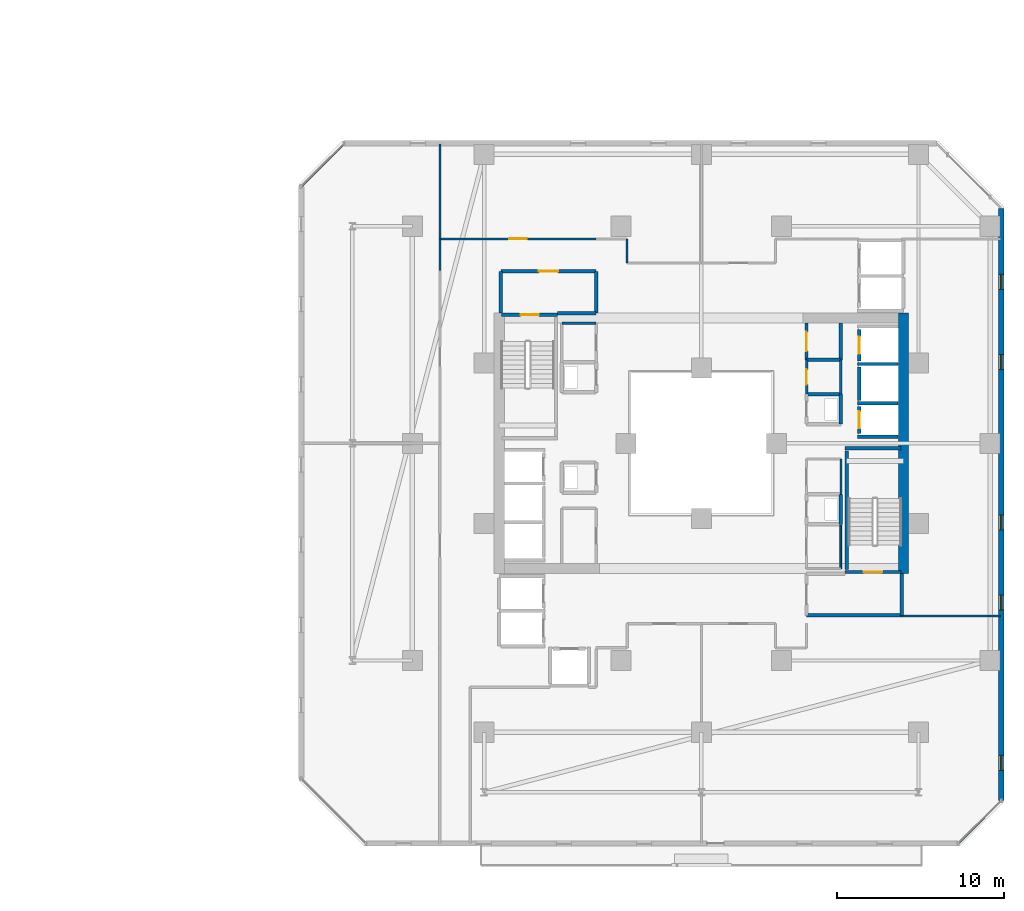
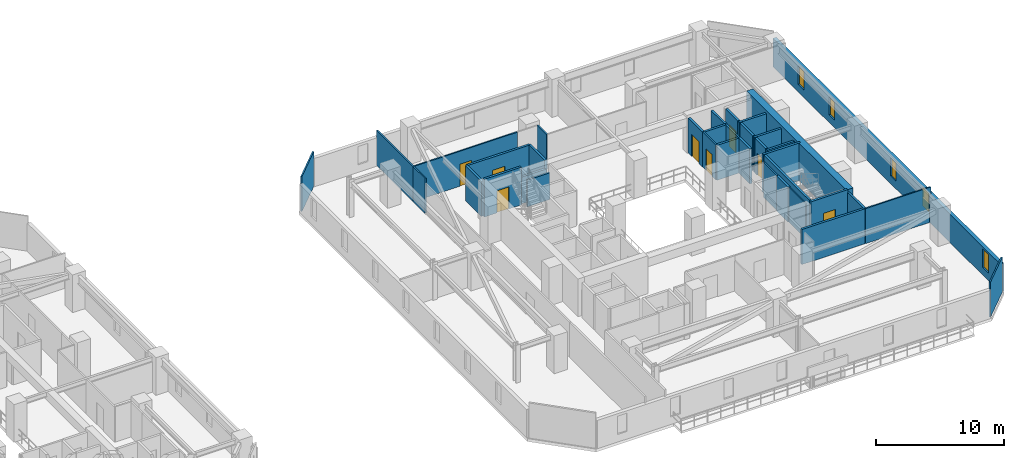
# One storey, part 25 of 33: 36 walls, 8 doors, 5 windows, 13 openings.
"""IFC4 building model written with IfcOpenShell, lengths in metres."""

from ifc_helpers import new_model, si_unit, direction, frame, frame_2d, origin, place, context, subcontext, project, spatial, rectangle, extrude, material, layer, layer_set, type_object, element, fill, save


model = new_model("IFC4")

# Units and contexts
model_context = context("Model", 3, precision=1e-05, world=origin(), true_north=direction((0.0, 1.0)))
body_context = subcontext(model_context, "Body", "Model", "MODEL_VIEW")
ifc_project = project(units=[si_unit("LENGTHUNIT", "METRE"), si_unit("AREAUNIT", "SQUARE_METRE"), si_unit("VOLUMEUNIT", "CUBIC_METRE"), si_unit("PLANEANGLEUNIT", "RADIAN"), si_unit("MASSUNIT", "GRAM", prefix="KILO")], contexts=[model_context])

# Site, building, storey
site_placement = place(None, origin())
site = spatial("IfcSite", under=ifc_project, at=site_placement, CompositionType="ELEMENT")
building_placement = place(site_placement, origin())
building = spatial("IfcBuilding", under=site, at=building_placement, Name="Thornwick Lancets Civic Towers", CompositionType="ELEMENT")
storey_placement = place(building_placement, frame((0.0, 0.0, 101.699951171875)))
storey = spatial("IfcBuildingStorey", under=building, at=storey_placement, Name="L26", CompositionType="ELEMENT", Elevation=101.699951171875)

# Wall, opening, door
ifc_material_1 = material(Name="Concrete blockwork C40/50", Category="masonry")
ifc_layer_1 = layer(ifc_material_1, 0.199951171875, Name="Concrete blockwork C40/50")
ifc_layer_set_1 = layer_set([ifc_layer_1], Name="Concrete blockwork C40/50")
wall_type_1 = type_object("IfcWallType", Name="WALL_COMP_200", PredefinedType="STANDARD", material=ifc_layer_set_1)
wall_1_placement = place(storey_placement, frame((97.949951171875, 29.219970703125, 0.0), z_axis=(0.0, 0.0, 1.0), x_axis=(0.0, -1.0, 0.0)))
wall_1 = element("IfcWall", 1, at=wall_1_placement, inside=storey, type_object=wall_type_1, Name="L26 Hoistway Front Wall FL-B1", PredefinedType="STANDARD", context=body_context, shape_type="SweptSolid", body=[
    extrude(rectangle(XDim=1.639892578125, YDim=0.199951171875, at=frame_2d((0.81982421875, 0.0))), origin(), (0.0, 0.0, 1.0), 3.340087890625),
])
opening_1_placement = place(wall_1_placement, frame((0.31005859375, 0.0, 0.0)))
opening_1 = element("IfcOpeningElement", 2, at=opening_1_placement, cuts=wall_1, Name="Opening LD-FL-B1", PredefinedType="OPENING", context=body_context, shape_type="SweptSolid", body=[
    extrude(rectangle(XDim=1.02001953125, YDim=2.06005859375, at=frame_2d((0.510009765625, 1.030029296875))), frame((0.0, 0.10986328125, 0.0), z_axis=(0.0, -1.0, 0.0), x_axis=(1.0, 0.0, 0.0)), (0.0, 0.0, 1.0), 0.219970703125),
])
ifc_material_2 = material(Name="Brushed bronze stainless steel", Category="steel")
door_type_1 = type_object("IfcDoorType", Name="DOOR_LIFT_SLIDE", OperationType="SLIDING_TO_LEFT", PredefinedType="DOOR", material=ifc_material_2)
door_1_placement = place(opening_1_placement, origin())
door_1 = element("IfcDoor", 3, at=door_1_placement, inside=storey, type_object=door_type_1, Name="L26 Sliding Lift Landing Door LD-FL-B1", OperationType="SLIDING_TO_LEFT", OverallHeight=2.06005859375, OverallWidth=1.02001953125, PredefinedType="DOOR", context=body_context, shape_type="SweptSolid", body=[
    extrude(rectangle(XDim=1.02001953125, YDim=2.06005859375, at=frame_2d((0.510009765625, 1.030029296875))), frame((0.0, 0.02490234375, 0.0), z_axis=(0.0, -1.0, 0.0), x_axis=(1.0, 0.0, 0.0)), (0.0, 0.0, 1.0), 0.050048828125),
])
fill(opening_1, door_1)

# Wall
wall_2_placement = place(storey_placement, frame((97.949951171875, 31.570068359375, 0.0), z_axis=(0.0, 0.0, 1.0), x_axis=(0.0, -1.0, 0.0)))
element("IfcWall", 4, at=wall_2_placement, inside=storey, type_object=wall_type_1, Name="L26 Hoistway Front Wall PL-BH1", PredefinedType="STANDARD", context=body_context, shape_type="SweptSolid", body=[
    extrude(rectangle(XDim=1.989990234375, YDim=0.199951171875, at=frame_2d((0.9951171875, 0.0))), origin(), (0.0, 0.0, 1.0), 3.340087890625),
])

# Wall, opening, door
wall_3_placement = place(storey_placement, frame((97.949951171875, 33.820068359375, 0.0), z_axis=(0.0, 0.0, 1.0), x_axis=(0.0, -1.0, 0.0)))
wall_3 = element("IfcWall", 5, at=wall_3_placement, inside=storey, type_object=wall_type_1, Name="L26 Hoistway Front Wall PL-BL1", PredefinedType="STANDARD", context=body_context, shape_type="SweptSolid", body=[
    extrude(rectangle(XDim=1.89013671875, YDim=0.199951171875, at=frame_2d((0.945068359375, 0.0))), origin(), (0.0, 0.0, 1.0), 3.340087890625),
])
opening_2_placement = place(wall_3_placement, frame((0.43505859375, 0.0, 0.0)))
opening_2 = element("IfcOpeningElement", 6, at=opening_2_placement, cuts=wall_3, Name="Opening LD-PL-BL1", PredefinedType="OPENING", context=body_context, shape_type="SweptSolid", body=[
    extrude(rectangle(XDim=1.02001953125, YDim=2.06005859375, at=frame_2d((0.510009765625, 1.030029296875))), frame((0.0, 0.10986328125, 0.0), z_axis=(0.0, -1.0, 0.0), x_axis=(1.0, 0.0, 0.0)), (0.0, 0.0, 1.0), 0.219970703125),
])
door_2_placement = place(opening_2_placement, origin())
door_2 = element("IfcDoor", 7, at=door_2_placement, inside=storey, type_object=door_type_1, Name="L26 Sliding Lift Landing Door LD-PL-BL1", OperationType="SLIDING_TO_LEFT", OverallHeight=2.06005859375, OverallWidth=1.02001953125, PredefinedType="DOOR", context=body_context, shape_type="SweptSolid", body=[
    extrude(rectangle(XDim=1.02001953125, YDim=2.06005859375, at=frame_2d((0.510009765625, 1.030029296875))), frame((0.0, 0.02490234375, 0.0), z_axis=(0.0, -1.0, 0.0), x_axis=(1.0, 0.0, 0.0)), (0.0, 0.0, 1.0), 0.050048828125),
])
fill(opening_2, door_2)

# Walls
for number, where, z_axis, x_axis, name in (
    (8, (97.85205078125, 29.39990234375, 0.0), (0.0, 0.0, 1.0), (1.0, 0.0, 0.0), "L26 Hoistway Shaft Wall FL-B1 N"),
    (9, (97.85205078125, 27.39990234375, 0.0), (0.0, 0.0, 1.0), (1.0, 0.0, 0.0), "L26 Hoistway Shaft Wall FL-B1 S"),
    (10, (97.85205078125, 31.75, 0.0), (0.0, 0.0, 1.0), (1.0, 0.0, 0.0), "L26 Hoistway Shaft Wall PL-BH1 N"),
):
    element("IfcWall", number, at=place(storey_placement, frame(where, z_axis=z_axis, x_axis=x_axis)), inside=storey, type_object=wall_type_1, Name=name, PredefinedType="STANDARD", context=body_context, shape_type="SweptSolid", body=[
        extrude(rectangle(XDim=2.43603515625, YDim=0.199951171875, at=frame_2d((1.218017578125, 0.0))), origin(), (0.0, 0.0, 1.0), 3.340087890625),
    ])
wall_4_placement = place(storey_placement, frame((94.800048828125, 16.699951171875, 0.0), z_axis=(0.0, 0.0, 1.0), x_axis=(1.0, 0.0, 0.0)))
element("IfcWall", 11, at=wall_4_placement, inside=storey, type_object=wall_type_1, Name="L26 Partition L26-B-FFLOB1 E1", PredefinedType="STANDARD", context=body_context, shape_type="SweptSolid", body=[
    extrude(rectangle(XDim=5.699951171875, YDim=0.199951171875, at=frame_2d((2.85009765625, 0.0))), origin(), (0.0, 0.0, 1.0), 3.340087890625),
])
wall_5_placement = place(storey_placement, frame((100.5, 16.699951171875, 0.0), z_axis=(0.0, 0.0, 1.0), x_axis=(0.0, 1.0, 0.0)))
element("IfcWall", 12, at=wall_5_placement, inside=storey, type_object=wall_type_1, Name="L26 Partition L26-B-FFLOB1 E2", PredefinedType="STANDARD", context=body_context, shape_type="SweptSolid", body=[
    extrude(rectangle(XDim=2.5, YDim=0.199951171875, at=frame_2d((1.25, 0.0))), origin(), (0.0, 0.0, 1.0), 3.340087890625),
])
wall_6_placement = place(storey_placement, frame((79.89990234375, 34.800048828125, 0.0), z_axis=(0.0, 0.0, 1.0), x_axis=(1.0, 0.0, 0.0)))
element("IfcWall", 13, at=wall_6_placement, inside=storey, type_object=wall_type_1, Name="L26 Partition L26-B-FFLOB2 E1", PredefinedType="STANDARD", context=body_context, shape_type="SweptSolid", body=[
    extrude(rectangle(XDim=2.300048828125, YDim=0.199951171875, at=frame_2d((1.14990234375, 0.0))), origin(), (0.0, 0.0, 1.0), 2.545166015625),
])
wall_7_placement = place(storey_placement, frame((82.199951171875, 34.800048828125, 0.0), z_axis=(0.0, 0.0, 1.0), x_axis=(0.0, 1.0, 0.0)))
element("IfcWall", 14, at=wall_7_placement, inside=storey, type_object=wall_type_1, Name="L26 Partition L26-B-FFLOB2 E2", PredefinedType="STANDARD", context=body_context, shape_type="SweptSolid", body=[
    extrude(rectangle(XDim=2.5, YDim=0.199951171875, at=frame_2d((1.25, 0.0))), origin(), (0.0, 0.0, 1.0), 3.340087890625),
])

# Wall, opening, door
wall_8_placement = place(storey_placement, frame((82.199951171875, 37.300048828125, 0.0), z_axis=(0.0, 0.0, 1.0), x_axis=(-1.0, 0.0, 0.0)))
wall_8 = element("IfcWall", 15, at=wall_8_placement, inside=storey, type_object=wall_type_1, Name="L26 Partition L26-B-FFLOB2 E3", PredefinedType="STANDARD", context=body_context, shape_type="SweptSolid", body=[
    extrude(rectangle(XDim=5.699951171875, YDim=0.199951171875, at=frame_2d((2.85009765625, 0.0))), origin(), (0.0, 0.0, 1.0), 3.340087890625),
])
opening_3_placement = place(wall_8_placement, frame((2.27490234375, 0.0, 0.0)))
opening_3 = element("IfcOpeningElement", 16, at=opening_3_placement, cuts=wall_8, Name="Opening D-L26-1206", PredefinedType="OPENING", context=body_context, shape_type="SweptSolid", body=[
    extrude(rectangle(XDim=1.14990234375, YDim=2.10009765625, at=frame_2d((0.574951171875, 1.050048828125))), frame((0.0, 0.10986328125, 0.0), z_axis=(0.0, -1.0, 0.0), x_axis=(1.0, 0.0, 0.0)), (0.0, 0.0, 1.0), 0.219970703125),
])
ifc_material_3 = material(Name="Glazed fire-resisting steel", Category="steel")
door_type_2 = type_object("IfcDoorType", Name="DOOR_LOBBY_FD60", OperationType="NOTDEFINED", PredefinedType="DOOR", material=ifc_material_3)
door_3_placement = place(opening_3_placement, origin())
door_3 = element("IfcDoor", 17, at=door_3_placement, inside=storey, type_object=door_type_2, Name="L26 West Firefighting Lobby 2 Door", OperationType="SINGLE_SWING_LEFT", OverallHeight=2.10009765625, OverallWidth=1.14990234375, PredefinedType="DOOR", context=body_context, shape_type="SweptSolid", body=[
    extrude(rectangle(XDim=1.14990234375, YDim=2.10009765625, at=frame_2d((0.574951171875, 1.050048828125))), frame((0.0, 0.02490234375, 0.0), z_axis=(0.0, -1.0, 0.0), x_axis=(1.0, 0.0, 0.0)), (0.0, 0.0, 1.0), 0.050048828125),
])
fill(opening_3, door_3)

# Walls
wall_9_placement = place(storey_placement, frame((76.5, 37.300048828125, 0.0), z_axis=(0.0, 0.0, 1.0), x_axis=(0.0, -1.0, 0.0)))
element("IfcWall", 18, at=wall_9_placement, inside=storey, type_object=wall_type_1, Name="L26 Partition L26-B-FFLOB2 E4", PredefinedType="STANDARD", context=body_context, shape_type="SweptSolid", body=[
    extrude(rectangle(XDim=2.5, YDim=0.199951171875, at=frame_2d((1.25, 0.0))), origin(), (0.0, 0.0, 1.0), 3.340087890625),
])
wall_10_placement = place(storey_placement, frame((96.85009765625, 28.14990234375, 0.0), z_axis=(0.0, 0.0, 1.0), x_axis=(0.0, 1.0, 0.0)))
element("IfcWall", 19, at=wall_10_placement, inside=storey, type_object=wall_type_1, Name="L26 Partition L26-B-DUCT1 E2", PredefinedType="STANDARD", context=body_context, shape_type="SweptSolid", body=[
    extrude(rectangle(XDim=1.800048828125, YDim=0.199951171875, at=frame_2d((0.89990234375, 0.0))), origin(), (0.0, 0.0, 1.0), 3.340087890625),
])
wall_11_placement = place(storey_placement, frame((96.85009765625, 29.949951171875, 0.0), z_axis=(0.0, 0.0, 1.0), x_axis=(-1.0, 0.0, 0.0)))
element("IfcWall", 20, at=wall_11_placement, inside=storey, type_object=wall_type_1, Name="L26 Partition L26-B-DUCT1 E3", PredefinedType="STANDARD", context=body_context, shape_type="SweptSolid", body=[
    extrude(rectangle(XDim=2.050048828125, YDim=0.199951171875, at=frame_2d((1.02490234375, 0.0))), origin(), (0.0, 0.0, 1.0), 3.340087890625),
])
wall_12_placement = place(storey_placement, frame((96.85009765625, 22.14990234375, 0.0), z_axis=(0.0, 0.0, 1.0), x_axis=(0.0, 1.0, 0.0)))
element("IfcWall", 21, at=wall_12_placement, inside=storey, type_object=wall_type_1, Name="L26 Partition L26-B-RISER1 E2", PredefinedType="STANDARD", context=body_context, shape_type="SweptSolid", body=[
    extrude(rectangle(XDim=1.800048828125, YDim=0.199951171875, at=frame_2d((0.89990234375, 0.0))), origin(), (0.0, 0.0, 1.0), 3.340087890625),
])

# Wall, opening, door
wall_13_placement = place(storey_placement, frame((94.800048828125, 32.0, 0.0), z_axis=(0.0, 0.0, 1.0), x_axis=(0.0, 1.0, 0.0)))
wall_13 = element("IfcWall", 22, at=wall_13_placement, inside=storey, type_object=wall_type_1, Name="L26 Partition L26-B-STR2 E1", PredefinedType="STANDARD", context=body_context, shape_type="SweptSolid", body=[
    extrude(rectangle(XDim=2.199951171875, YDim=0.199951171875, at=frame_2d((1.10009765625, 0.0))), origin(), (0.0, 0.0, 1.0), 3.340087890625),
])
opening_4_placement = place(wall_13_placement, frame((0.52490234375, 0.0, 0.0)))
opening_4 = element("IfcOpeningElement", 23, at=opening_4_placement, cuts=wall_13, Name="Opening D-L26-1214", PredefinedType="OPENING", context=body_context, shape_type="SweptSolid", body=[
    extrude(rectangle(XDim=1.14990234375, YDim=2.10009765625, at=frame_2d((0.574951171875, 1.050048828125))), frame((0.0, 0.10986328125, 0.0), z_axis=(0.0, -1.0, 0.0), x_axis=(1.0, 0.0, 0.0)), (0.0, 0.0, 1.0), 0.219970703125),
])
door_4_placement = place(opening_4_placement, origin())
door_4 = element("IfcDoor", 24, at=door_4_placement, inside=storey, type_object=door_type_2, Name="L26 Tower B Core Supplies Store Door", OperationType="SINGLE_SWING_LEFT", OverallHeight=2.10009765625, OverallWidth=1.14990234375, PredefinedType="DOOR", context=body_context, shape_type="SweptSolid", body=[
    extrude(rectangle(XDim=1.14990234375, YDim=2.10009765625, at=frame_2d((0.574951171875, 1.050048828125))), frame((0.0, 0.02490234375, 0.0), z_axis=(0.0, -1.0, 0.0), x_axis=(1.0, 0.0, 0.0)), (0.0, 0.0, 1.0), 0.050048828125),
])
fill(opening_4, door_4)

# Walls
wall_14_placement = place(storey_placement, frame((96.85009765625, 34.199951171875, 0.0), z_axis=(0.0, 0.0, 1.0), x_axis=(0.0, -1.0, 0.0)))
element("IfcWall", 25, at=wall_14_placement, inside=storey, type_object=wall_type_1, Name="L26 Partition L26-B-STR2 E3", PredefinedType="STANDARD", context=body_context, shape_type="SweptSolid", body=[
    extrude(rectangle(XDim=2.199951171875, YDim=0.199951171875, at=frame_2d((1.10009765625, 0.0))), origin(), (0.0, 0.0, 1.0), 3.340087890625),
])
wall_15_placement = place(storey_placement, frame((96.85009765625, 32.0, 0.0), z_axis=(0.0, 0.0, 1.0), x_axis=(-1.0, 0.0, 0.0)))
element("IfcWall", 26, at=wall_15_placement, inside=storey, type_object=wall_type_1, Name="L26 Partition L26-B-STR2 E4", PredefinedType="STANDARD", context=body_context, shape_type="SweptSolid", body=[
    extrude(rectangle(XDim=2.050048828125, YDim=0.199951171875, at=frame_2d((1.02490234375, 0.0))), origin(), (0.0, 0.0, 1.0), 3.340087890625),
])
ifc_material_4 = material(Name="Concrete C60/75", Category="concrete")
ifc_layer_2 = layer(ifc_material_4, 0.60009765625, Name="Concrete C60/75")
ifc_layer_set_2 = layer_set([ifc_layer_2], Name="Concrete C60/75")
wall_type_2 = type_object("IfcWallType", Name="WALL_CORE_600", PredefinedType="SHEAR", material=ifc_layer_set_2)
wall_16_placement = place(storey_placement, frame((100.60009765625, 19.199951171875, 0.0), z_axis=(0.0, 0.0, 1.0), x_axis=(0.0, 1.0, 0.0)))
element("IfcWall", 27, at=wall_16_placement, inside=storey, type_object=wall_type_2, Name="L26 Split Core B1 Shear Wall E", PredefinedType="SHEAR", context=body_context, shape_type="SweptSolid", body=[
    extrude(rectangle(XDim=15.60009765625, YDim=0.60009765625, at=frame_2d((7.800048828125, 0.0))), origin(), (0.0, 0.0, 1.0), 3.60009765625),
])

# Wall, openings, windows
ifc_material_5 = material(Name="Insulated buff terracotta rainscreen on concrete C40/50", Category="masonry")
ifc_layer_3 = layer(ifc_material_5, 0.320068359375, Name="Insulated buff terracotta rainscreen on concrete C40/50")
ifc_layer_set_3 = layer_set([ifc_layer_3], Name="Insulated buff terracotta rainscreen on concrete C40/50")
wall_type_3 = type_object("IfcWallType", Name="WALL_EXT_TERRA_320", PredefinedType="STANDARD", material=ifc_layer_set_3)
wall_17_placement = place(storey_placement, frame((106.464599609375, 5.61865234375, 0.0), z_axis=(0.0, 0.0, 1.0), x_axis=(-0.00011704845, 0.99999999315, 0.0)))
wall_17 = element("IfcWall", 28, at=wall_17_placement, inside=storey, type_object=wall_type_3, Name="L26 Tower B Terracotta Facade Wall E2", PredefinedType="STANDARD", context=body_context, shape_type="SweptSolid", body=[
    extrude(rectangle(XDim=35.458740234375, YDim=0.320068359375, at=frame_2d((17.7294921875, 0.0))), origin(), (0.0, 0.0, 1.0), 2.699951171875),
])
opening_5_placement = place(wall_17_placement, frame((1.800048828125, 0.0, 0.719970703125)))
opening_5 = element("IfcOpeningElement", 29, at=opening_5_placement, cuts=wall_17, Name="Opening WL-01", PredefinedType="OPENING", context=body_context, shape_type="SweptSolid", body=[
    extrude(rectangle(XDim=0.89990234375, YDim=1.75, at=frame_2d((0.449951171875, 0.875))), frame((0.0, 0.169921875, 0.0), z_axis=(0.0, -1.0, 0.0), x_axis=(1.0, 0.0, 0.0)), (0.0, 0.0, 1.0), 0.340087890625),
])
opening_6_placement = place(wall_17_placement, frame((11.39990234375, 0.0, 0.719970703125)))
opening_6 = element("IfcOpeningElement", 30, at=opening_6_placement, cuts=wall_17, Name="Opening WL-01", PredefinedType="OPENING", context=body_context, shape_type="SweptSolid", body=[
    extrude(rectangle(XDim=0.89990234375, YDim=1.75, at=frame_2d((0.449951171875, 0.875))), frame((0.0, 0.169921875, 0.0), z_axis=(0.0, -1.0, 0.0), x_axis=(1.0, 0.0, 0.0)), (0.0, 0.0, 1.0), 0.340087890625),
])
opening_7_placement = place(wall_17_placement, frame((16.199951171875, 0.0, 0.719970703125)))
opening_7 = element("IfcOpeningElement", 31, at=opening_7_placement, cuts=wall_17, Name="Opening WL-01", PredefinedType="OPENING", context=body_context, shape_type="SweptSolid", body=[
    extrude(rectangle(XDim=0.89990234375, YDim=1.75, at=frame_2d((0.449951171875, 0.875))), frame((0.0, 0.169921875, 0.0), z_axis=(0.0, -1.0, 0.0), x_axis=(1.0, 0.0, 0.0)), (0.0, 0.0, 1.0), 0.340087890625),
])
opening_8_placement = place(wall_17_placement, frame((25.800048828125, 0.0, 0.719970703125)))
opening_8 = element("IfcOpeningElement", 32, at=opening_8_placement, cuts=wall_17, Name="Opening WL-01", PredefinedType="OPENING", context=body_context, shape_type="SweptSolid", body=[
    extrude(rectangle(XDim=0.89990234375, YDim=1.75, at=frame_2d((0.449951171875, 0.875))), frame((0.0, 0.169921875, 0.0), z_axis=(0.0, -1.0, 0.0), x_axis=(1.0, 0.0, 0.0)), (0.0, 0.0, 1.0), 0.340087890625),
])
opening_9_placement = place(wall_17_placement, frame((30.60009765625, 0.0, 0.719970703125)))
opening_9 = element("IfcOpeningElement", 33, at=opening_9_placement, cuts=wall_17, Name="Opening WL-01", PredefinedType="OPENING", context=body_context, shape_type="SweptSolid", body=[
    extrude(rectangle(XDim=0.89990234375, YDim=1.75, at=frame_2d((0.449951171875, 0.875))), frame((0.0, 0.169921875, 0.0), z_axis=(0.0, -1.0, 0.0), x_axis=(1.0, 0.0, 0.0)), (0.0, 0.0, 1.0), 0.340087890625),
])
ifc_material_6 = material(Name="Clear low-e double glazing in bronze frame", Category="glass")
window_type = type_object("IfcWindowType", Name="WIN_LANCET_900", PartitioningType="SINGLE_PANEL", PredefinedType="WINDOW", material=ifc_material_6)
window_1_placement = place(opening_5_placement, origin())
window_1 = element("IfcWindow", 34, at=window_1_placement, inside=storey, type_object=window_type, Name="L26 Tower B Staggered Lancet Window E2-1", OverallHeight=1.75, OverallWidth=0.89990234375, PartitioningType="SINGLE_PANEL", PredefinedType="WINDOW", context=body_context, shape_type="SweptSolid", body=[
    extrude(rectangle(XDim=0.89990234375, YDim=1.75, at=frame_2d((0.449951171875, 0.875))), frame((0.0, 0.030029296875, 0.0), z_axis=(0.0, -1.0, 0.0), x_axis=(1.0, 0.0, 0.0)), (0.0, 0.0, 1.0), 0.06005859375),
])
fill(opening_5, window_1)
window_2_placement = place(opening_6_placement, origin())
window_2 = element("IfcWindow", 35, at=window_2_placement, inside=storey, type_object=window_type, Name="L26 Tower B Staggered Lancet Window E2-2", OverallHeight=1.75, OverallWidth=0.89990234375, PartitioningType="SINGLE_PANEL", PredefinedType="WINDOW", context=body_context, shape_type="SweptSolid", body=[
    extrude(rectangle(XDim=0.89990234375, YDim=1.75, at=frame_2d((0.449951171875, 0.875))), frame((0.0, 0.030029296875, 0.0), z_axis=(0.0, -1.0, 0.0), x_axis=(1.0, 0.0, 0.0)), (0.0, 0.0, 1.0), 0.06005859375),
])
fill(opening_6, window_2)
window_3_placement = place(opening_7_placement, origin())
window_3 = element("IfcWindow", 36, at=window_3_placement, inside=storey, type_object=window_type, Name="L26 Tower B Staggered Lancet Window E2-3", OverallHeight=1.75, OverallWidth=0.89990234375, PartitioningType="SINGLE_PANEL", PredefinedType="WINDOW", context=body_context, shape_type="SweptSolid", body=[
    extrude(rectangle(XDim=0.89990234375, YDim=1.75, at=frame_2d((0.449951171875, 0.875))), frame((0.0, 0.030029296875, 0.0), z_axis=(0.0, -1.0, 0.0), x_axis=(1.0, 0.0, 0.0)), (0.0, 0.0, 1.0), 0.06005859375),
])
fill(opening_7, window_3)
window_4_placement = place(opening_8_placement, origin())
window_4 = element("IfcWindow", 37, at=window_4_placement, inside=storey, type_object=window_type, Name="L26 Tower B Staggered Lancet Window E2-4", OverallHeight=1.75, OverallWidth=0.89990234375, PartitioningType="SINGLE_PANEL", PredefinedType="WINDOW", context=body_context, shape_type="SweptSolid", body=[
    extrude(rectangle(XDim=0.89990234375, YDim=1.75, at=frame_2d((0.449951171875, 0.875))), frame((0.0, 0.030029296875, 0.0), z_axis=(0.0, -1.0, 0.0), x_axis=(1.0, 0.0, 0.0)), (0.0, 0.0, 1.0), 0.06005859375),
])
fill(opening_8, window_4)
window_5_placement = place(opening_9_placement, origin())
window_5 = element("IfcWindow", 38, at=window_5_placement, inside=storey, type_object=window_type, Name="L26 Tower B Staggered Lancet Window E2-5", OverallHeight=1.75, OverallWidth=0.89990234375, PartitioningType="SINGLE_PANEL", PredefinedType="WINDOW", context=body_context, shape_type="SweptSolid", body=[
    extrude(rectangle(XDim=0.89990234375, YDim=1.75, at=frame_2d((0.449951171875, 0.875))), frame((0.0, 0.030029296875, 0.0), z_axis=(0.0, -1.0, 0.0), x_axis=(1.0, 0.0, 0.0)), (0.0, 0.0, 1.0), 0.06005859375),
])
fill(opening_9, window_5)

# Walls
ifc_material_7 = material(Name="Lightweight cellular office partition")
ifc_layer_4 = layer(ifc_material_7, 0.10009765625, Name="Lightweight cellular office partition")
ifc_layer_set_4 = layer_set([ifc_layer_4], Name="Lightweight cellular office partition")
wall_type_4 = type_object("IfcWallType", Name="WALL_PART_100", PredefinedType="PARTITIONING", material=ifc_layer_set_4)
wall_18_placement = place(storey_placement, frame((96.85009765625, 19.5, 0.0), z_axis=(0.0, 0.0, 1.0), x_axis=(0.0, 1.0, 0.0)))
element("IfcWall", 39, at=wall_18_placement, inside=storey, type_object=wall_type_4, Name="L26 Partition L26-B-CLN E2", PredefinedType="PARTITIONING", context=body_context, shape_type="SweptSolid", body=[
    extrude(rectangle(XDim=2.60009765625, YDim=0.10009765625, at=frame_2d((1.300048828125, 0.0))), origin(), (0.0, 0.0, 1.0), 3.340087890625),
])
ifc_material_8 = material(Name="Acoustic gypsum board partition")
ifc_layer_5 = layer(ifc_material_8, 0.1201171875, Name="Acoustic gypsum board partition")
ifc_layer_set_5 = layer_set([ifc_layer_5], Name="Acoustic gypsum board partition")
wall_type_5 = type_object("IfcWallType", Name="WALL_PART_120", PredefinedType="PARTITIONING", material=ifc_layer_set_5)
wall_19_placement = place(storey_placement, frame((96.85009765625, 26.050048828125, 0.0), z_axis=(0.0, 0.0, 1.0), x_axis=(0.0, -1.0, 0.0)))
element("IfcWall", 40, at=wall_19_placement, inside=storey, type_object=wall_type_5, Name="L26 Partition L26-B-ITR E3", PredefinedType="PARTITIONING", context=body_context, shape_type="SweptSolid", body=[
    extrude(rectangle(XDim=2.10009765625, YDim=0.1201171875, at=frame_2d((1.050048828125, 0.0))), origin(), (0.0, 0.0, 1.0), 3.340087890625),
])
wall_20_placement = place(storey_placement, frame((100.5, 16.64990234375, 0.0), z_axis=(0.0, 0.0, 1.0), x_axis=(1.0, 0.0, 0.0)))
element("IfcWall", 41, at=wall_20_placement, inside=storey, type_object=wall_type_5, Name="L26 Partition L26-B-W1 E5", PredefinedType="PARTITIONING", context=body_context, shape_type="SweptSolid", body=[
    extrude(rectangle(XDim=5.919921875, YDim=0.1201171875, at=frame_2d((2.9599609375, 0.0))), origin(), (0.0, 0.0, 1.0), 3.340087890625),
])
wall_21_placement = place(storey_placement, frame((106.419921875, 5.57470703125, 0.0), z_axis=(0.0, 0.0, 1.0), x_axis=(-0.707106781187, -0.707106781187, 0.0)))
element("IfcWall", 42, at=wall_21_placement, inside=storey, type_object=wall_type_5, Name="L26 Partition L26-B-W1 E7", PredefinedType="PARTITIONING", context=body_context, shape_type="SweptSolid", body=[
    extrude(rectangle(XDim=3.52783203125, YDim=0.1201171875, at=frame_2d((1.763916015625, 0.0))), origin(), (0.0, 0.0, 1.0), 3.340087890625),
])
wall_22_placement = place(storey_placement, frame((84.050048828125, 37.800048828125, 0.0), z_axis=(0.0, 0.0, 1.0), x_axis=(0.0, 1.0, 0.0)))
element("IfcWall", 43, at=wall_22_placement, inside=storey, type_object=wall_type_5, Name="L26 Partition L26-B-E2 E1", PredefinedType="PARTITIONING", context=body_context, shape_type="SweptSolid", body=[
    extrude(rectangle(XDim=1.449951171875, YDim=0.1201171875, at=frame_2d((0.72509765625, 0.0))), origin(), (0.0, 0.0, 1.0), 3.340087890625),
])

# Wall, opening, door
wall_23_placement = place(storey_placement, frame((82.199951171875, 39.25, 0.0), z_axis=(0.0, 0.0, 1.0), x_axis=(-1.0, 0.0, 0.0)))
wall_23 = element("IfcWall", 44, at=wall_23_placement, inside=storey, type_object=wall_type_5, Name="L26 Partition L26-B-E2 E3", PredefinedType="PARTITIONING", context=body_context, shape_type="SweptSolid", body=[
    extrude(rectangle(XDim=9.349853515625, YDim=0.1201171875, at=frame_2d((4.6748046875, 0.0))), origin(), (0.0, 0.0, 1.0), 3.340087890625),
])
opening_10_placement = place(wall_23_placement, frame((4.14990234375, 0.0, 0.0)))
opening_10 = element("IfcOpeningElement", 45, at=opening_10_placement, cuts=wall_23, Name="Opening D-L26-1226", PredefinedType="OPENING", context=body_context, shape_type="SweptSolid", body=[
    extrude(rectangle(XDim=1.050048828125, YDim=2.10009765625, at=frame_2d((0.52490234375, 1.050048828125))), frame((0.0, 0.070068359375, 0.0), z_axis=(0.0, -1.0, 0.0), x_axis=(1.0, 0.0, 0.0)), (0.0, 0.0, 1.0), 0.14013671875),
])
ifc_material_9 = material(Name="Glazed European oak executive doorset")
door_type_3 = type_object("IfcDoorType", Name="DOOR_OFFICE_1050", OperationType="NOTDEFINED", PredefinedType="DOOR", material=ifc_material_9)
door_5_placement = place(opening_10_placement, origin())
door_5 = element("IfcDoor", 46, at=door_5_placement, inside=storey, type_object=door_type_3, Name="L26 Tower B Visitors Reception and Waiting Door", OperationType="SINGLE_SWING_LEFT", OverallHeight=2.10009765625, OverallWidth=1.050048828125, PredefinedType="DOOR", context=body_context, shape_type="SweptSolid", body=[
    extrude(rectangle(XDim=1.050048828125, YDim=2.10009765625, at=frame_2d((0.52490234375, 1.050048828125))), frame((0.0, 0.02490234375, 0.0), z_axis=(0.0, -1.0, 0.0), x_axis=(1.0, 0.0, 0.0)), (0.0, 0.0, 1.0), 0.050048828125),
])
fill(opening_10, door_5)

# Walls
wall_24_placement = place(storey_placement, frame((72.85009765625, 39.25, 0.0), z_axis=(0.0, 0.0, 1.0), x_axis=(0.0, 1.0, 0.0)))
element("IfcWall", 47, at=wall_24_placement, inside=storey, type_object=wall_type_5, Name="L26 Partition L26-B-E2 E4", PredefinedType="PARTITIONING", context=body_context, shape_type="SweptSolid", body=[
    extrude(rectangle(XDim=5.669921875, YDim=0.1201171875, at=frame_2d((2.8349609375, 0.0))), origin(), (0.0, 0.0, 1.0), 3.340087890625),
])
wall_25_placement = place(storey_placement, frame((64.580078125, 42.42529296875, 0.0), z_axis=(0.0, 0.0, 1.0), x_axis=(0.707106781187, 0.707106781187, 0.0)))
element("IfcWall", 48, at=wall_25_placement, inside=storey, type_object=wall_type_5, Name="L26 Partition L26-B-N-OFF E2", PredefinedType="PARTITIONING", context=body_context, shape_type="SweptSolid", body=[
    extrude(rectangle(XDim=3.52783203125, YDim=0.1201171875, at=frame_2d((1.763916015625, 0.0))), origin(), (0.0, 0.0, 1.0), 3.340087890625),
])
wall_26_placement = place(storey_placement, frame((72.85009765625, 39.25, 0.0), z_axis=(0.0, 0.0, 1.0), x_axis=(0.0, -1.0, 0.0)))
element("IfcWall", 49, at=wall_26_placement, inside=storey, type_object=wall_type_5, Name="L26 Partition L26-B-N-OFF E5", PredefinedType="PARTITIONING", context=body_context, shape_type="SweptSolid", body=[
    extrude(rectangle(XDim=1.89990234375, YDim=0.1201171875, at=frame_2d((0.949951171875, 0.0))), origin(), (0.0, 0.0, 1.0), 3.340087890625),
])

# Wall, opening, door
ifc_material_10 = material(Name="Twin-stud acoustic gypsum board")
ifc_layer_6 = layer(ifc_material_10, 0.14990234375, Name="Twin-stud acoustic gypsum board")
ifc_layer_set_6 = layer_set([ifc_layer_6], Name="Twin-stud acoustic gypsum board")
wall_type_6 = type_object("IfcWallType", Name="WALL_PART_150", PredefinedType="PARTITIONING", material=ifc_layer_set_6)
wall_27_placement = place(storey_placement, frame((94.800048828125, 29.949951171875, 0.0), z_axis=(0.0, 0.0, 1.0), x_axis=(0.0, 1.0, 0.0)))
wall_27 = element("IfcWall", 50, at=wall_27_placement, inside=storey, type_object=wall_type_6, Name="L26 Partition L26-B-AWC E1", PredefinedType="PARTITIONING", context=body_context, shape_type="SweptSolid", body=[
    extrude(rectangle(XDim=2.050048828125, YDim=0.14990234375, at=frame_2d((1.02490234375, 0.0))), origin(), (0.0, 0.0, 1.0), 3.340087890625),
])
opening_11_placement = place(wall_27_placement, frame((0.56494140625, 0.0, 0.0)))
opening_11 = element("IfcOpeningElement", 51, at=opening_11_placement, cuts=wall_27, Name="Opening D-L26-1213", PredefinedType="OPENING", context=body_context, shape_type="SweptSolid", body=[
    extrude(rectangle(XDim=0.919921875, YDim=2.080078125, at=frame_2d((0.4599609375, 1.0400390625))), frame((0.0, 0.0849609375, 0.0), z_axis=(0.0, -1.0, 0.0), x_axis=(1.0, 0.0, 0.0)), (0.0, 0.0, 1.0), 0.169921875),
])
ifc_material_11 = material(Name="Moisture-resistant oak doorset")
door_type_4 = type_object("IfcDoorType", Name="DOOR_WC_900", OperationType="NOTDEFINED", PredefinedType="DOOR", material=ifc_material_11)
door_6_placement = place(opening_11_placement, origin())
door_6 = element("IfcDoor", 52, at=door_6_placement, inside=storey, type_object=door_type_4, Name="L26 Tower B Accessible WC Door", OperationType="SINGLE_SWING_RIGHT", OverallHeight=2.080078125, OverallWidth=0.919921875, PredefinedType="DOOR", context=body_context, shape_type="SweptSolid", body=[
    extrude(rectangle(XDim=0.919921875, YDim=2.080078125, at=frame_2d((0.4599609375, 1.0400390625))), frame((0.0, 0.02490234375, 0.0), z_axis=(0.0, -1.0, 0.0), x_axis=(1.0, 0.0, 0.0)), (0.0, 0.0, 1.0), 0.050048828125),
])
fill(opening_11, door_6)

# Walls
wall_28_placement = place(storey_placement, frame((96.85009765625, 32.0, 0.0), z_axis=(0.0, 0.0, 1.0), x_axis=(0.0, -1.0, 0.0)))
element("IfcWall", 53, at=wall_28_placement, inside=storey, type_object=wall_type_6, Name="L26 Partition L26-B-AWC E3", PredefinedType="PARTITIONING", context=body_context, shape_type="SweptSolid", body=[
    extrude(rectangle(XDim=2.050048828125, YDim=0.14990234375, at=frame_2d((1.02490234375, 0.0))), origin(), (0.0, 0.0, 1.0), 3.340087890625),
])
wall_29_placement = place(storey_placement, frame((80.14990234375, 34.199951171875, 0.0), z_axis=(0.0, 0.0, 1.0), x_axis=(1.0, 0.0, 0.0)))
element("IfcWall", 54, at=wall_29_placement, inside=storey, type_object=wall_type_6, Name="L26 Partition L26-B-FWC E2", PredefinedType="PARTITIONING", context=body_context, shape_type="SweptSolid", body=[
    extrude(rectangle(XDim=2.050048828125, YDim=0.14990234375, at=frame_2d((1.02490234375, 0.0))), origin(), (0.0, 0.0, 1.0), 2.545166015625),
])

# Wall, opening, door
ifc_material_12 = material(Name="Concrete C40/50", Category="concrete")
ifc_layer_7 = layer(ifc_material_12, 0.199951171875, Name="Concrete C40/50")
ifc_layer_set_7 = layer_set([ifc_layer_7], Name="Concrete C40/50")
wall_type_7 = type_object("IfcWallType", Name="WALL_SHAFT_200", PredefinedType="SHEAR", material=ifc_layer_set_7)
wall_30_placement = place(storey_placement, frame((100.449951171875, 19.300048828125, 0.0), z_axis=(0.0, 0.0, 1.0), x_axis=(-1.0, 0.0, 0.0)))
wall_30 = element("IfcWall", 55, at=wall_30_placement, inside=storey, type_object=wall_type_7, Name="L26 ST-B1 Fire Stair Core Wall NEAR", PredefinedType="SHEAR", context=body_context, shape_type="SweptSolid", body=[
    extrude(rectangle(XDim=3.349853515625, YDim=0.199951171875, at=frame_2d((1.6748046875, 0.0))), origin(), (0.0, 0.0, 1.0), 3.60009765625),
])
opening_12_placement = place(wall_30_placement, frame((1.125, 0.0, 0.0)))
opening_12 = element("IfcOpeningElement", 56, at=opening_12_placement, cuts=wall_30, Name="Opening D-ST-B1-L26", PredefinedType="OPENING", context=body_context, shape_type="SweptSolid", body=[
    extrude(rectangle(XDim=1.10009765625, YDim=2.10009765625, at=frame_2d((0.550048828125, 1.050048828125))), frame((0.0, 0.10986328125, 0.0), z_axis=(0.0, -1.0, 0.0), x_axis=(1.0, 0.0, 0.0)), (0.0, 0.0, 1.0), 0.219970703125),
])
ifc_material_13 = material(Name="Fire-resisting steel and hardwood", Category="steel")
door_type_5 = type_object("IfcDoorType", Name="DOOR_STAIR_FD60", OperationType="NOTDEFINED", PredefinedType="DOOR", material=ifc_material_13)
door_7_placement = place(opening_12_placement, origin())
door_7 = element("IfcDoor", 57, at=door_7_placement, inside=storey, type_object=door_type_5, Name="L26 ST-B1 Exit Stair Door", OperationType="SINGLE_SWING_RIGHT", OverallHeight=2.10009765625, OverallWidth=1.10009765625, PredefinedType="DOOR", context=body_context, shape_type="SweptSolid", body=[
    extrude(rectangle(XDim=1.10009765625, YDim=2.10009765625, at=frame_2d((0.550048828125, 1.050048828125))), frame((0.0, 0.02490234375, 0.0), z_axis=(0.0, -1.0, 0.0), x_axis=(1.0, 0.0, 0.0)), (0.0, 0.0, 1.0), 0.050048828125),
])
fill(opening_12, door_7)

# Walls
wall_31_placement = place(storey_placement, frame((97.10009765625, 26.699951171875, 0.0), z_axis=(0.0, 0.0, 1.0), x_axis=(1.0, 0.0, 0.0)))
element("IfcWall", 58, at=wall_31_placement, inside=storey, type_object=wall_type_7, Name="L26 ST-B1 Fire Stair Core Wall FAR", PredefinedType="SHEAR", context=body_context, shape_type="SweptSolid", body=[
    extrude(rectangle(XDim=3.349853515625, YDim=0.199951171875, at=frame_2d((1.6748046875, 0.0))), origin(), (0.0, 0.0, 1.0), 3.60009765625),
])
wall_32_placement = place(storey_placement, frame((97.202880859375, 26.550048828125, 0.0), z_axis=(0.0, 0.0, 1.0), x_axis=(0.0, -1.0, 0.0)))
element("IfcWall", 59, at=wall_32_placement, inside=storey, type_object=wall_type_7, Name="L26 ST-B1 Fire Stair Core Wall RIGHT", PredefinedType="SHEAR", context=body_context, shape_type="SweptSolid", body=[
    extrude(rectangle(XDim=7.10009765625, YDim=0.199951171875, at=frame_2d((3.550048828125, 0.0))), origin(), (0.0, 0.0, 1.0), 3.60009765625),
])

# Wall, opening, door
wall_33_placement = place(storey_placement, frame((76.550048828125, 34.699951171875, 0.0), z_axis=(0.0, 0.0, 1.0), x_axis=(1.0, 0.0, 0.0)))
wall_33 = element("IfcWall", 60, at=wall_33_placement, inside=storey, type_object=wall_type_7, Name="L26 ST-B2 Fire Stair Core Wall NEAR", PredefinedType="SHEAR", context=body_context, shape_type="SweptSolid", body=[
    extrude(rectangle(XDim=3.349853515625, YDim=0.199951171875, at=frame_2d((1.6748046875, 0.0))), origin(), (0.0, 0.0, 1.0), 3.60009765625),
])
opening_13_placement = place(wall_33_placement, frame((1.125, 0.0, 0.0)))
opening_13 = element("IfcOpeningElement", 61, at=opening_13_placement, cuts=wall_33, Name="Opening D-ST-B2-L26", PredefinedType="OPENING", context=body_context, shape_type="SweptSolid", body=[
    extrude(rectangle(XDim=1.10009765625, YDim=2.10009765625, at=frame_2d((0.550048828125, 1.050048828125))), frame((0.0, 0.10986328125, 0.0), z_axis=(0.0, -1.0, 0.0), x_axis=(1.0, 0.0, 0.0)), (0.0, 0.0, 1.0), 0.219970703125),
])
door_8_placement = place(opening_13_placement, origin())
door_8 = element("IfcDoor", 62, at=door_8_placement, inside=storey, type_object=door_type_5, Name="L26 ST-B2 Exit Stair Door", OperationType="SINGLE_SWING_LEFT", OverallHeight=2.10009765625, OverallWidth=1.10009765625, PredefinedType="DOOR", context=body_context, shape_type="SweptSolid", body=[
    extrude(rectangle(XDim=1.10009765625, YDim=2.10009765625, at=frame_2d((0.550048828125, 1.050048828125))), frame((0.0, 0.02490234375, 0.0), z_axis=(0.0, -1.0, 0.0), x_axis=(1.0, 0.0, 0.0)), (0.0, 0.0, 1.0), 0.050048828125),
])
fill(opening_13, door_8)

save(model, "model.ifc")
